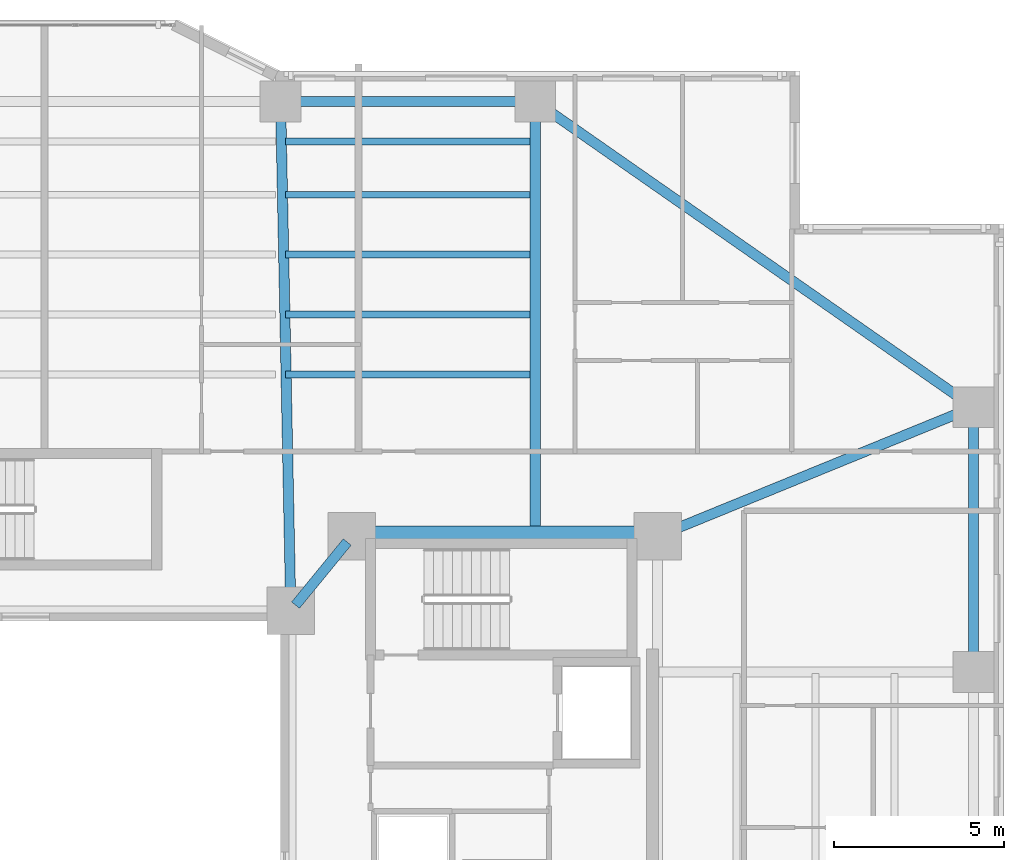
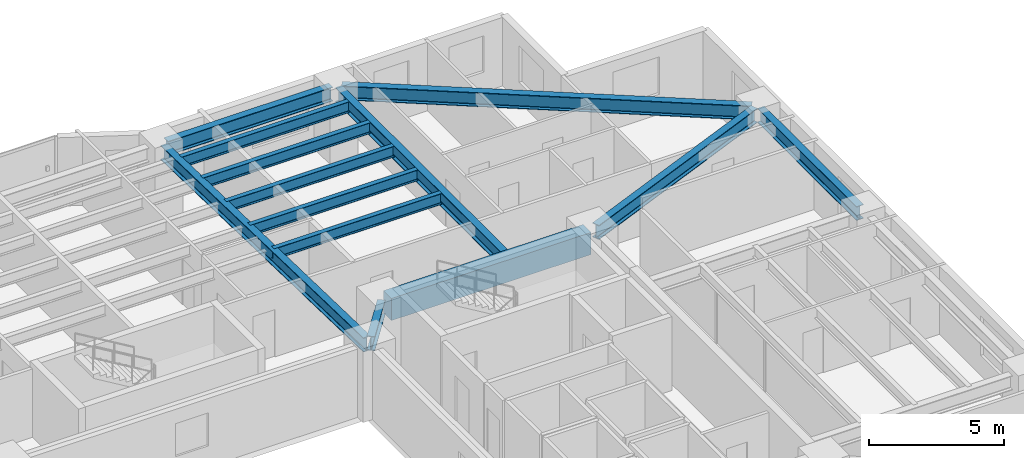
# One storey, part 7 of 21: 13 beams.
"""IFC4 building model written with IfcOpenShell, lengths in metres."""

from ifc_helpers import new_model, si_unit, direction, frame, origin, origin_2d, place, context, subcontext, project, spatial, rectangle, i_section, extrude, material, material_profile, profile_set, type_object, element, save


model = new_model("IFC4")

# Units and contexts
model_context = context("Model", 3, precision=1e-05, world=origin(), true_north=direction((0.0, 1.0)))
body_context = subcontext(model_context, "Body", "Model", "MODEL_VIEW")
ifc_project = project(units=[si_unit("LENGTHUNIT", "METRE"), si_unit("AREAUNIT", "SQUARE_METRE"), si_unit("VOLUMEUNIT", "CUBIC_METRE"), si_unit("PLANEANGLEUNIT", "RADIAN"), si_unit("MASSUNIT", "GRAM", prefix="KILO")], contexts=[model_context])

# Site, building, storey
site_placement = place(None, origin())
site = spatial("IfcSite", under=ifc_project, at=site_placement, CompositionType="ELEMENT")
building_placement = place(site_placement, origin())
building = spatial("IfcBuilding", under=site, at=building_placement, Name="Tarnavaz Court Tower", CompositionType="ELEMENT")
storey_placement = place(building_placement, frame((0.0, 0.0, 47.449951171875)))
storey = spatial("IfcBuildingStorey", under=building, at=storey_placement, Name="L12", CompositionType="ELEMENT", Elevation=47.449951171875)

# Beams
ifc_material_1 = material(Name="Concrete C60/75", Category="concrete")
ifc_material_profile_1 = material_profile(ifc_material_1, rectangle(XDim=0.60009765625, YDim=1.0, at=origin_2d()), Name="RC 600X1000")
ifc_profile_set_1 = profile_set([ifc_material_profile_1], Name="Concrete C60/75")
beam_type_1 = type_object("IfcBeamType", Name="BM-CB1000", PredefinedType="LINTEL", material=ifc_profile_set_1)
beam_1_placement = place(storey_placement, frame((18.3798828125, 10.0, 2.60009765625), z_axis=(-1.0, 0.0, 0.0), x_axis=(0.0, -1.0, 0.0)))
element("IfcBeam", 1, at=beam_1_placement, inside=storey, type_object=beam_type_1, Name="L12 Beam IN-CE-NO-CE-NI", PredefinedType="LINTEL", context=body_context, shape_type="SweptSolid", body=[
    extrude(rectangle(XDim=0.60009765625, YDim=1.0, at=origin_2d()), origin(), (0.0, 0.0, 1.0), 8.559814453125),
])
ifc_material_2 = material(Name="Steel S355", Category="steel")
ifc_material_profile_2 = material_profile(ifc_material_2, i_section(OverallWidth=0.300048828125, OverallDepth=0.64990234375, WebThickness=0.01611328125, FlangeThickness=0.031005859375, FilletRadius=0.027099609375, at=origin_2d()), Name="HEB 650")
ifc_profile_set_2 = profile_set([ifc_material_profile_2], Name="Steel S355")
beam_type_2 = type_object("IfcBeamType", Name="BM-G-HEB650", PredefinedType="USERDEFINED", material=ifc_profile_set_2)
beam_2_placement = place(storey_placement, frame((9.460693359375, 9.82958984375, 2.775146484375), z_axis=(-0.633282058357, -0.773921077735, 0.0), x_axis=(0.773921077735, -0.633282058357, 0.0)))
element("IfcBeam", 2, at=beam_2_placement, inside=storey, type_object=beam_type_2, Name="L12 Beam IN-CE-NI-IW-NE", ObjectType="GIRDER", PredefinedType="USERDEFINED", context=body_context, shape_type="SweptSolid", body=[
    extrude(i_section(OverallWidth=0.300048828125, OverallDepth=0.64990234375, WebThickness=0.01611328125, FlangeThickness=0.031005859375, FilletRadius=0.027099609375, at=origin_2d()), origin(), (0.0, 0.0, 1.0), 2.402587890625),
])
beam_3_placement = place(storey_placement, frame((7.795654296875, 8.02001953125, 2.775146484375), z_axis=(-0.020000023066, 0.999799979535, 0.0), x_axis=(-0.999799979535, -0.020000023066, 0.0)))
element("IfcBeam", 3, at=beam_3_placement, inside=storey, type_object=beam_type_2, Name="L12 Beam RG-03", ObjectType="GIRDER", PredefinedType="USERDEFINED", context=body_context, shape_type="SweptSolid", body=[
    extrude(i_section(OverallWidth=0.300048828125, OverallDepth=0.64990234375, WebThickness=0.01611328125, FlangeThickness=0.031005859375, FilletRadius=0.027099609375, at=origin_2d()), origin(), (0.0, 0.0, 1.0), 14.56298828125),
])
beam_4_placement = place(storey_placement, frame((15.0, 10.0400390625, 2.775146484375), z_axis=(0.0, 1.0, 0.0), x_axis=(-1.0, 0.0, 0.0)))
element("IfcBeam", 4, at=beam_4_placement, inside=storey, type_object=beam_type_2, Name="L12 Beam RG-04", ObjectType="GIRDER", PredefinedType="USERDEFINED", context=body_context, shape_type="SweptSolid", body=[
    extrude(i_section(OverallWidth=0.300048828125, OverallDepth=0.64990234375, WebThickness=0.01611328125, FlangeThickness=0.031005859375, FilletRadius=0.027099609375, at=origin_2d()), origin(), (0.0, 0.0, 1.0), 12.5400390625),
])
beam_5_placement = place(storey_placement, frame((18.8037109375, 10.083251953125, 2.775146484375), z_axis=(0.925704761705, 0.378246869329, 0.0), x_axis=(-0.378246869329, 0.925704761705, 0.0)))
element("IfcBeam", 5, at=beam_5_placement, inside=storey, type_object=beam_type_2, Name="L12 Beam RG-12", ObjectType="GIRDER", PredefinedType="USERDEFINED", context=body_context, shape_type="SweptSolid", body=[
    extrude(i_section(OverallWidth=0.300048828125, OverallDepth=0.64990234375, WebThickness=0.01611328125, FlangeThickness=0.031005859375, FilletRadius=0.027099609375, at=origin_2d()), origin(), (0.0, 0.0, 1.0), 9.606201171875),
])
ifc_material_profile_3 = material_profile(ifc_material_2, i_section(OverallWidth=0.199951171875, OverallDepth=0.5, WebThickness=0.01025390625, FlangeThickness=0.01611328125, FilletRadius=0.02099609375, at=origin_2d()), Name="IPE 500")
ifc_profile_set_3 = profile_set([ifc_material_profile_3], Name="Steel S355")
beam_type_3 = type_object("IfcBeamType", Name="BM-J-IPE500", PredefinedType="JOIST", material=ifc_profile_set_3)
for number, where, z_axis, x_axis, name in (
    (6, (7.64990234375, 14.763916015625, 2.85009765625), (1.0, 0.0, 0.0), (0.0, 1.0, 0.0), "L12 Beam JN1-3"),
    (7, (7.64990234375, 16.528076171875, 2.85009765625), (1.0, 0.0, 0.0), (0.0, 1.0, 0.0), "L12 Beam JN2-3"),
    (8, (7.64990234375, 18.2919921875, 2.85009765625), (1.0, 0.0, 0.0), (0.0, 1.0, 0.0), "L12 Beam JN3-3"),
    (9, (7.64990234375, 20.055908203125, 2.85009765625), (1.0, 0.0, 0.0), (0.0, 1.0, 0.0), "L12 Beam JN4-3"),
    (10, (7.64990234375, 21.6240234375, 2.85009765625), (1.0, 0.0, 0.0), (0.0, 1.0, 0.0), "L12 Beam JN5-3"),
):
    element("IfcBeam", number, at=place(storey_placement, frame(where, z_axis=z_axis, x_axis=x_axis)), inside=storey, type_object=beam_type_3, Name=name, PredefinedType="JOIST", context=body_context, shape_type="SweptSolid", body=[
        extrude(i_section(OverallWidth=0.199951171875, OverallDepth=0.5, WebThickness=0.01025390625, FlangeThickness=0.01611328125, FilletRadius=0.02099609375, at=origin_2d()), origin(), (0.0, 0.0, 1.0), 7.2001953125),
    ])
ifc_material_profile_4 = material_profile(ifc_material_2, i_section(OverallWidth=0.300048828125, OverallDepth=0.639892578125, WebThickness=0.013427734375, FlangeThickness=0.02587890625, FilletRadius=0.027099609375, at=origin_2d()), Name="HEA 650")
ifc_profile_set_4 = profile_set([ifc_material_profile_4], Name="Steel S355")
beam_type_4 = type_object("IfcBeamType", Name="BM-SP-HEA650", PredefinedType="SPANDREL", material=ifc_profile_set_4)
beam_6_placement = place(storey_placement, frame((7.719970703125, 22.800048828125, 2.780029296875), z_axis=(1.0, 0.0, 0.0), x_axis=(0.0, 1.0, 0.0)))
element("IfcBeam", 11, at=beam_6_placement, inside=storey, type_object=beam_type_4, Name="L12 Beam PR-PN-3-PN-4", PredefinedType="SPANDREL", context=body_context, shape_type="SweptSolid", body=[
    extrude(i_section(OverallWidth=0.300048828125, OverallDepth=0.639892578125, WebThickness=0.013427734375, FlangeThickness=0.02587890625, FilletRadius=0.027099609375, at=origin_2d()), origin(), (0.0, 0.0, 1.0), 7.06005859375),
])
beam_7_placement = place(storey_placement, frame((27.89990234375, 6.219970703125, 2.780029296875), z_axis=(0.0, 1.0, 0.0), x_axis=(-1.0, 0.0, 0.0)))
element("IfcBeam", 12, at=beam_7_placement, inside=storey, type_object=beam_type_4, Name="L12 Beam PR-PE-3-PE-4", PredefinedType="SPANDREL", context=body_context, shape_type="SweptSolid", body=[
    extrude(i_section(OverallWidth=0.300048828125, OverallDepth=0.639892578125, WebThickness=0.013427734375, FlangeThickness=0.02587890625, FilletRadius=0.027099609375, at=origin_2d()), origin(), (0.0, 0.0, 1.0), 7.360107421875),
])
beam_8_placement = place(storey_placement, frame((15.180419921875, 22.674072265625, 2.780029296875), z_axis=(0.820123643324, -0.572186341729, 0.0), x_axis=(0.572186341729, 0.820123643324, 0.0)))
element("IfcBeam", 13, at=beam_8_placement, inside=storey, type_object=beam_type_4, Name="L12 Beam PR-PN-4-PE-4", PredefinedType="SPANDREL", context=body_context, shape_type="SweptSolid", body=[
    extrude(i_section(OverallWidth=0.300048828125, OverallDepth=0.639892578125, WebThickness=0.013427734375, FlangeThickness=0.02587890625, FilletRadius=0.027099609375, at=origin_2d()), origin(), (0.0, 0.0, 1.0), 15.289306640625),
])

save(model, "model.ifc")
